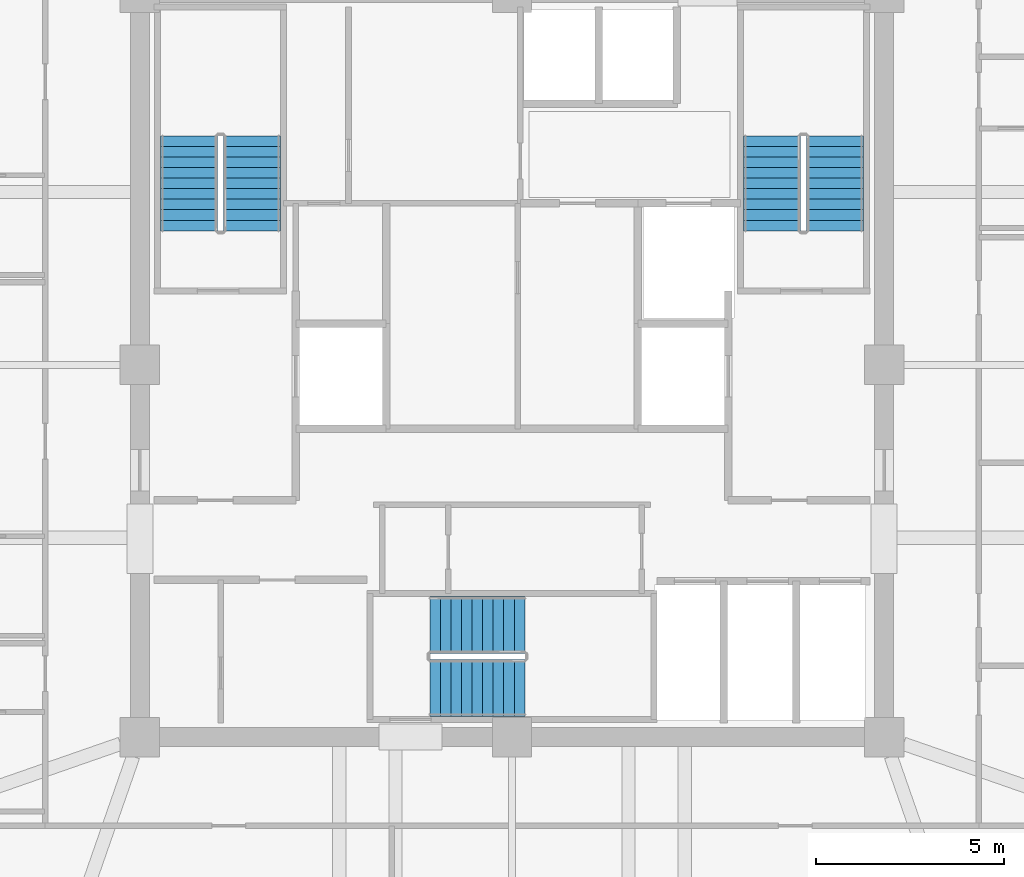
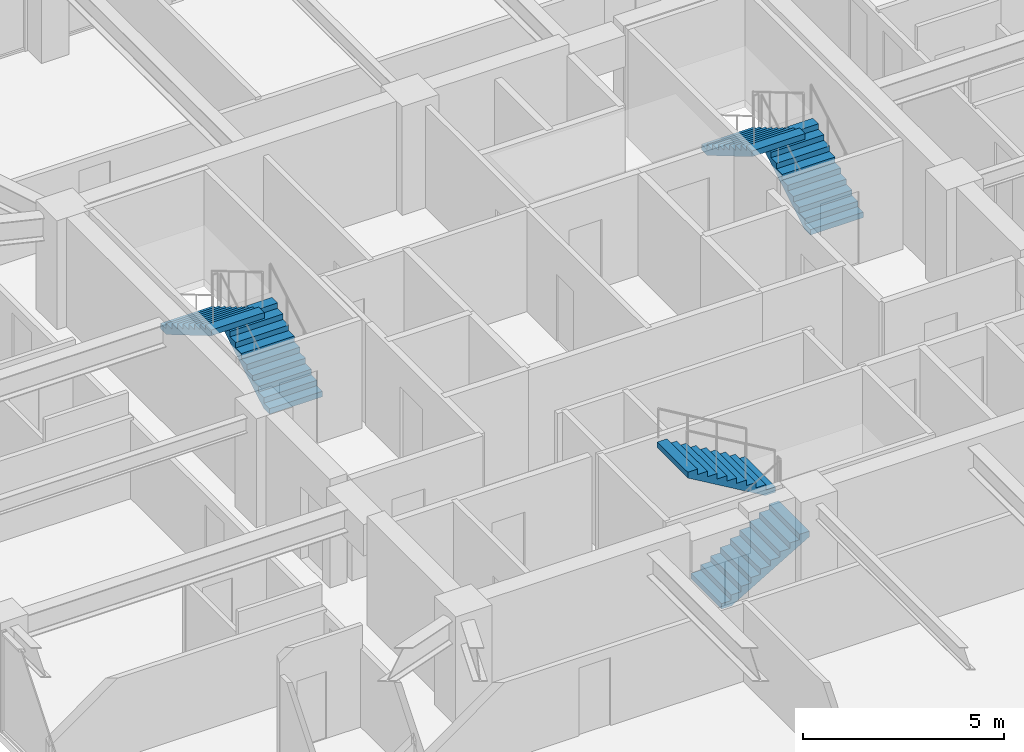
# One storey, part 34 of 36: 6 stair flights, 3 elements without a shape of their own.
"""IFC4 building model written with IfcOpenShell, lengths in metres."""

from ifc_helpers import new_model, si_unit, direction, frame, origin, place, context, subcontext, project, spatial, polyline, outline, extrude, material, type_object, element, aggregate, save


model = new_model("IFC4")

# Units and contexts
model_context = context("Model", 3, precision=1e-05, world=origin(), true_north=direction((0.0, 1.0)))
body_context = subcontext(model_context, "Body", "Model", "MODEL_VIEW")
ifc_project = project(units=[si_unit("LENGTHUNIT", "METRE"), si_unit("AREAUNIT", "SQUARE_METRE"), si_unit("VOLUMEUNIT", "CUBIC_METRE"), si_unit("PLANEANGLEUNIT", "RADIAN"), si_unit("MASSUNIT", "GRAM", prefix="KILO")], contexts=[model_context])

# Site, building, storey
site_placement = place(None, origin())
site = spatial("IfcSite", under=ifc_project, at=site_placement, CompositionType="ELEMENT")
building_placement = place(site_placement, origin())
building = spatial("IfcBuilding", under=site, at=building_placement, Name="Kolvaren Belvedere", CompositionType="ELEMENT")
storey_placement = place(building_placement, frame((0.0, 0.0, 193.199951171875)))
storey = spatial("IfcBuildingStorey", under=building, at=storey_placement, Name="L56", CompositionType="ELEMENT", Elevation=193.199951171875)

# Stair, stair flights
ifc_material_1 = material(Name="Concrete C50/60", Category="concrete")
stair_type = type_object("IfcStairType", Name="ST-CORE-1520", PredefinedType="HALF_TURN_STAIR", material=ifc_material_1)
stair_1_placement = place(storey_placement, origin())
stair_1 = element("IfcStair", 1, at=stair_1_placement, inside=storey, type_object=stair_type, Name="L56 Protected Exit Stair ST-1", PredefinedType="HALF_TURN_STAIR")
ifc_material_2 = material(Name="Concrete C50/60", Category="concrete")
stair_flight_type = type_object("IfcStairFlightType", Name="SF-STR-1520", PredefinedType="STRAIGHT", material=ifc_material_2)
stair_flight_1_placement = place(storey_placement, frame((-6.919921875, 3.570068359375, 0.0), z_axis=(0.0, 0.0, 1.0), x_axis=(0.0, 1.0, 0.0)))
stair_flight_1 = element("IfcStairFlight", 2, at=stair_flight_1_placement, type_object=stair_flight_type, Name="ST-1 flight 1", NumberOfRisers=10, NumberOfTreads=9, PredefinedType="STRAIGHT", RiserHeight=0.165, TreadLength=0.28, context=body_context, shape_type="SweptSolid", body=[
    extrude(outline(polyline([(0.0, 0.0), (0.0, 0.1650390625), (0.280029296875, 0.1650390625), (0.280029296875, 0.330078125), (0.56005859375, 0.330078125), (0.56005859375, 0.4951171875), (0.840087890625, 0.4951171875), (0.840087890625, 0.659912109375), (1.1201171875, 0.659912109375), (1.1201171875, 0.824951171875), (1.39990234375, 0.824951171875), (1.39990234375, 0.989990234375), (1.679931640625, 0.989990234375), (1.679931640625, 1.155029296875), (1.9599609375, 1.155029296875), (1.9599609375, 1.320068359375), (2.239990234375, 1.320068359375), (2.239990234375, 1.485107421875), (2.52001953125, 1.485107421875), (2.52001953125, 1.64990234375), (2.52001953125, 1.31103515625), (0.295166015625, 0.0), (0.0, 0.0)])), frame((0.0, 0.760009765625, 0.0), z_axis=(0.0, -1.0, 0.0), x_axis=(1.0, 0.0, 0.0)), (0.0, 0.0, 1.0), 1.52001953125),
])
stair_flight_2_placement = place(storey_placement, frame((-8.590087890625, 6.090087890625, 1.650146484375), z_axis=(0.0, 0.0, 1.0), x_axis=(0.0, -1.0, 0.0)))
stair_flight_2 = element("IfcStairFlight", 3, at=stair_flight_2_placement, type_object=stair_flight_type, Name="ST-1 flight 2", NumberOfRisers=10, NumberOfTreads=9, PredefinedType="STRAIGHT", RiserHeight=0.165, TreadLength=0.28, context=body_context, shape_type="SweptSolid", body=[
    extrude(outline(polyline([(0.0, 0.0), (0.0, 0.1650390625), (0.280029296875, 0.1650390625), (0.280029296875, 0.330078125), (0.56005859375, 0.330078125), (0.56005859375, 0.4951171875), (0.840087890625, 0.4951171875), (0.840087890625, 0.659912109375), (1.1201171875, 0.659912109375), (1.1201171875, 0.824951171875), (1.39990234375, 0.824951171875), (1.39990234375, 0.989990234375), (1.679931640625, 0.989990234375), (1.679931640625, 1.155029296875), (1.9599609375, 1.155029296875), (1.9599609375, 1.320068359375), (2.239990234375, 1.320068359375), (2.239990234375, 1.485107421875), (2.52001953125, 1.485107421875), (2.52001953125, 1.64990234375), (2.52001953125, 1.31103515625), (0.295166015625, 0.0), (0.0, 0.0)])), frame((0.0, 0.760009765625, 0.0), z_axis=(0.0, -1.0, 0.0), x_axis=(1.0, 0.0, 0.0)), (0.0, 0.0, 1.0), 1.52001953125),
])
aggregate(stair_1, [stair_flight_1, stair_flight_2])

stair_2_placement = place(storey_placement, origin())
stair_2 = element("IfcStair", 4, at=stair_2_placement, inside=storey, type_object=stair_type, Name="L56 Protected Exit Stair ST-2", PredefinedType="HALF_TURN_STAIR")
stair_flight_3_placement = place(storey_placement, frame((8.590087890625, 3.570068359375, 0.0), z_axis=(0.0, 0.0, 1.0), x_axis=(0.0, 1.0, 0.0)))
stair_flight_3 = element("IfcStairFlight", 5, at=stair_flight_3_placement, type_object=stair_flight_type, Name="ST-2 flight 1", NumberOfRisers=10, NumberOfTreads=9, PredefinedType="STRAIGHT", RiserHeight=0.165, TreadLength=0.28, context=body_context, shape_type="SweptSolid", body=[
    extrude(outline(polyline([(0.0, 0.0), (0.0, 0.1650390625), (0.280029296875, 0.1650390625), (0.280029296875, 0.330078125), (0.56005859375, 0.330078125), (0.56005859375, 0.4951171875), (0.840087890625, 0.4951171875), (0.840087890625, 0.659912109375), (1.1201171875, 0.659912109375), (1.1201171875, 0.824951171875), (1.39990234375, 0.824951171875), (1.39990234375, 0.989990234375), (1.679931640625, 0.989990234375), (1.679931640625, 1.155029296875), (1.9599609375, 1.155029296875), (1.9599609375, 1.320068359375), (2.239990234375, 1.320068359375), (2.239990234375, 1.485107421875), (2.52001953125, 1.485107421875), (2.52001953125, 1.64990234375), (2.52001953125, 1.31103515625), (0.295166015625, 0.0), (0.0, 0.0)])), frame((0.0, 0.760009765625, 0.0), z_axis=(0.0, -1.0, 0.0), x_axis=(1.0, 0.0, 0.0)), (0.0, 0.0, 1.0), 1.52001953125),
])
stair_flight_4_placement = place(storey_placement, frame((6.919921875, 6.090087890625, 1.650146484375), z_axis=(0.0, 0.0, 1.0), x_axis=(0.0, -1.0, 0.0)))
stair_flight_4 = element("IfcStairFlight", 6, at=stair_flight_4_placement, type_object=stair_flight_type, Name="ST-2 flight 2", NumberOfRisers=10, NumberOfTreads=9, PredefinedType="STRAIGHT", RiserHeight=0.165, TreadLength=0.28, context=body_context, shape_type="SweptSolid", body=[
    extrude(outline(polyline([(0.0, 0.0), (0.0, 0.1650390625), (0.280029296875, 0.1650390625), (0.280029296875, 0.330078125), (0.56005859375, 0.330078125), (0.56005859375, 0.4951171875), (0.840087890625, 0.4951171875), (0.840087890625, 0.659912109375), (1.1201171875, 0.659912109375), (1.1201171875, 0.824951171875), (1.39990234375, 0.824951171875), (1.39990234375, 0.989990234375), (1.679931640625, 0.989990234375), (1.679931640625, 1.155029296875), (1.9599609375, 1.155029296875), (1.9599609375, 1.320068359375), (2.239990234375, 1.320068359375), (2.239990234375, 1.485107421875), (2.52001953125, 1.485107421875), (2.52001953125, 1.64990234375), (2.52001953125, 1.31103515625), (0.295166015625, 0.0), (0.0, 0.0)])), frame((0.0, 0.760009765625, 0.0), z_axis=(0.0, -1.0, 0.0), x_axis=(1.0, 0.0, 0.0)), (0.0, 0.0, 1.0), 1.52001953125),
])
aggregate(stair_2, [stair_flight_3, stair_flight_4])

stair_3_placement = place(storey_placement, origin())
stair_3 = element("IfcStair", 7, at=stair_3_placement, inside=storey, type_object=stair_type, Name="L56 Protected Exit Stair ST-3", PredefinedType="HALF_TURN_STAIR")
stair_flight_5_placement = place(storey_placement, frame((-2.179931640625, -8.590087890625, 0.0), z_axis=(0.0, 0.0, 1.0), x_axis=(1.0, 0.0, 0.0)))
stair_flight_5 = element("IfcStairFlight", 8, at=stair_flight_5_placement, type_object=stair_flight_type, Name="ST-3 flight 1", NumberOfRisers=10, NumberOfTreads=9, PredefinedType="STRAIGHT", RiserHeight=0.165, TreadLength=0.28, context=body_context, shape_type="SweptSolid", body=[
    extrude(outline(polyline([(0.0, 0.0), (0.0, 0.1650390625), (0.280029296875, 0.1650390625), (0.280029296875, 0.330078125), (0.56005859375, 0.330078125), (0.56005859375, 0.4951171875), (0.840087890625, 0.4951171875), (0.840087890625, 0.659912109375), (1.1201171875, 0.659912109375), (1.1201171875, 0.824951171875), (1.39990234375, 0.824951171875), (1.39990234375, 0.989990234375), (1.679931640625, 0.989990234375), (1.679931640625, 1.155029296875), (1.9599609375, 1.155029296875), (1.9599609375, 1.320068359375), (2.239990234375, 1.320068359375), (2.239990234375, 1.485107421875), (2.52001953125, 1.485107421875), (2.52001953125, 1.64990234375), (2.52001953125, 1.31103515625), (0.295166015625, 0.0), (0.0, 0.0)])), frame((0.0, 0.760009765625, 0.0), z_axis=(0.0, -1.0, 0.0), x_axis=(1.0, 0.0, 0.0)), (0.0, 0.0, 1.0), 1.52001953125),
])
stair_flight_6_placement = place(storey_placement, frame((0.340087890625, -6.919921875, 1.650146484375), z_axis=(0.0, 0.0, 1.0), x_axis=(-1.0, 0.0, 0.0)))
stair_flight_6 = element("IfcStairFlight", 9, at=stair_flight_6_placement, type_object=stair_flight_type, Name="ST-3 flight 2", NumberOfRisers=10, NumberOfTreads=9, PredefinedType="STRAIGHT", RiserHeight=0.165, TreadLength=0.28, context=body_context, shape_type="SweptSolid", body=[
    extrude(outline(polyline([(0.0, 0.0), (0.0, 0.1650390625), (0.280029296875, 0.1650390625), (0.280029296875, 0.330078125), (0.56005859375, 0.330078125), (0.56005859375, 0.4951171875), (0.840087890625, 0.4951171875), (0.840087890625, 0.659912109375), (1.1201171875, 0.659912109375), (1.1201171875, 0.824951171875), (1.39990234375, 0.824951171875), (1.39990234375, 0.989990234375), (1.679931640625, 0.989990234375), (1.679931640625, 1.155029296875), (1.9599609375, 1.155029296875), (1.9599609375, 1.320068359375), (2.239990234375, 1.320068359375), (2.239990234375, 1.485107421875), (2.52001953125, 1.485107421875), (2.52001953125, 1.64990234375), (2.52001953125, 1.31103515625), (0.295166015625, 0.0), (0.0, 0.0)])), frame((0.0, 0.760009765625, 0.0), z_axis=(0.0, -1.0, 0.0), x_axis=(1.0, 0.0, 0.0)), (0.0, 0.0, 1.0), 1.52001953125),
])
aggregate(stair_3, [stair_flight_5, stair_flight_6])

save(model, "model.ifc")
